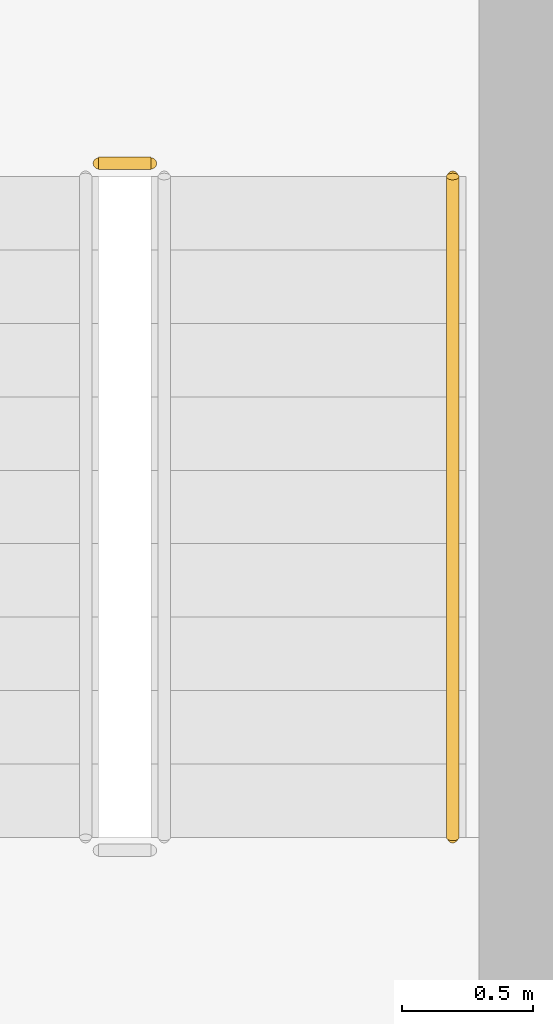
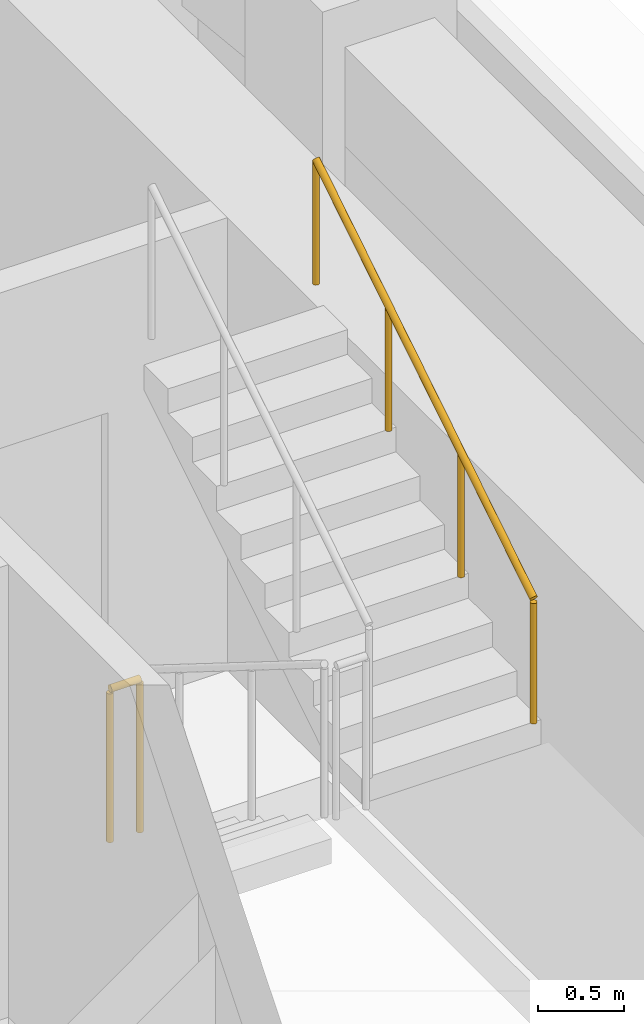
# One storey, part 18 of 18: 2 railings.
"""IFC4 building model written with IfcOpenShell, lengths in metres."""

from ifc_helpers import new_model, si_unit, direction, frame, origin, origin_2d, place, context, subcontext, project, spatial, circle, extrude, material, type_object, element, save


model = new_model("IFC4")

# Units and contexts
model_context = context("Model", 3, precision=1e-05, world=origin(), true_north=direction((0.0, 1.0)))
body_context = subcontext(model_context, "Body", "Model", "MODEL_VIEW")
ifc_project = project(units=[si_unit("LENGTHUNIT", "METRE"), si_unit("AREAUNIT", "SQUARE_METRE"), si_unit("VOLUMEUNIT", "CUBIC_METRE"), si_unit("PLANEANGLEUNIT", "RADIAN"), si_unit("MASSUNIT", "GRAM", prefix="KILO")], contexts=[model_context])

# Site, building, storey
site_placement = place(None, origin())
site = spatial("IfcSite", under=ifc_project, at=site_placement, CompositionType="ELEMENT")
building_placement = place(site_placement, origin())
building = spatial("IfcBuilding", under=site, at=building_placement, Name="Kiln Ring Residences", CompositionType="ELEMENT")
storey_placement = place(building_placement, frame((0.0, 0.0, 209.89990234375)))
storey = spatial("IfcBuildingStorey", under=building, at=storey_placement, Name="L54", CompositionType="ELEMENT", Elevation=209.89990234375)

# Railings
ifc_material_1 = material(Name="Stainless steel", Category="steel")
railing_type_1 = type_object("IfcRailingType", Name="CORE-STAIR-GUARD", PredefinedType="GUARDRAIL", material=ifc_material_1)
railing_1_placement = place(storey_placement, frame((22.0, 8.449951171875, 0.0)))
element("IfcRailing", 1, at=railing_1_placement, inside=storey, type_object=railing_type_1, Name="L54 E-STN stair guard 4", PredefinedType="GUARDRAIL", context=body_context, shape_type="SweptSolid", body=[
    extrude(circle(Radius=0.02392578125, at=origin_2d()), frame((0.0, 0.0, 1.076171875), z_axis=(1.0, 0.0, 0.0), x_axis=(0.0, 1.0, 0.0)), (0.0, 0.0, 1.0), 0.199951171875),
    extrude(circle(Radius=0.02099609375, at=origin_2d()), origin(), (0.0, 0.0, 1.0), 1.052001953125),
    extrude(circle(Radius=0.02099609375, at=origin_2d()), frame((0.199951171875, 0.0, 0.0)), (0.0, 0.0, 1.0), 1.052001953125),
])
ifc_material_2 = material(Name="Stainless steel", Category="steel")
railing_type_2 = type_object("IfcRailingType", Name="CORE-STAIR-HANDRAIL", PredefinedType="HANDRAIL", material=ifc_material_2)
railing_2_placement = place(storey_placement, frame((23.35009765625, 5.8798828125, 1.925048828125)))
element("IfcRailing", 2, at=railing_2_placement, inside=storey, type_object=railing_type_2, Name="L54 E-STN stair handrail 2", PredefinedType="HANDRAIL", context=body_context, shape_type="SweptSolid", body=[
    extrude(circle(Radius=0.02392578125, at=origin_2d()), frame((0.0, 0.0, 0.8759765625), z_axis=(0.0, 0.848007534815, 0.529984170421), x_axis=(-1.0, 0.0, 0.0)), (0.0, 0.0, 1.0), 2.9716796875),
    extrude(circle(Radius=0.02099609375, at=origin_2d()), origin(), (0.0, 0.0, 1.0), 0.851806640625),
    extrude(circle(Radius=0.02099609375, at=origin_2d()), frame((0.0, 0.840087890625, 0.52490234375)), (0.0, 0.0, 1.0), 0.851806640625),
    extrude(circle(Radius=0.02099609375, at=origin_2d()), frame((0.0, 1.679931640625, 1.050048828125)), (0.0, 0.0, 1.0), 0.851806640625),
    extrude(circle(Radius=0.02099609375, at=origin_2d()), frame((0.0, 2.52001953125, 1.574951171875)), (0.0, 0.0, 1.0), 0.851806640625),
])

save(model, "model.ifc")
